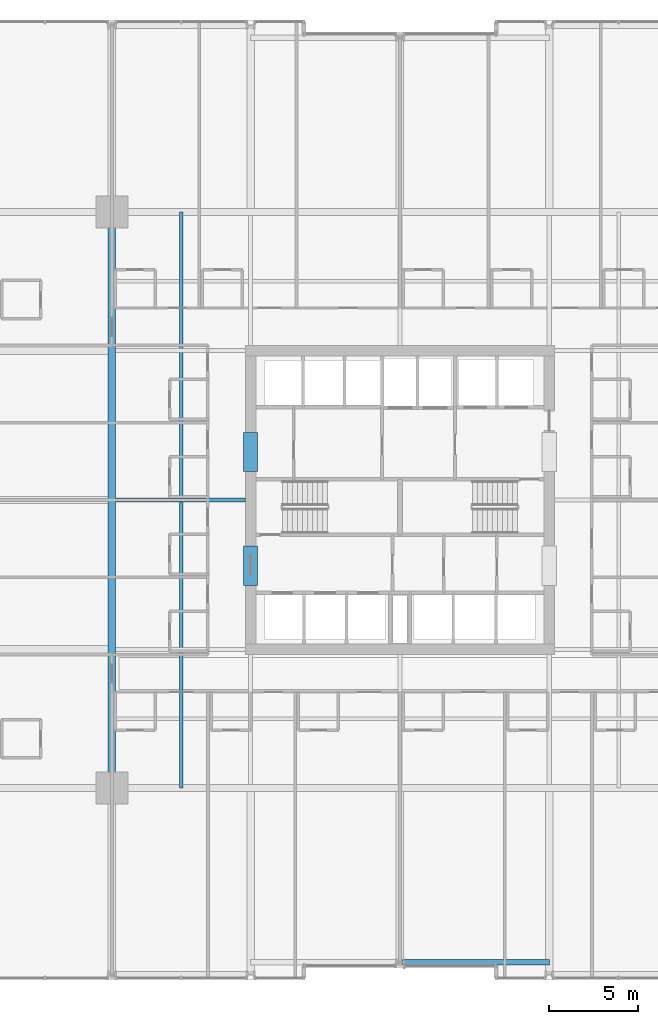
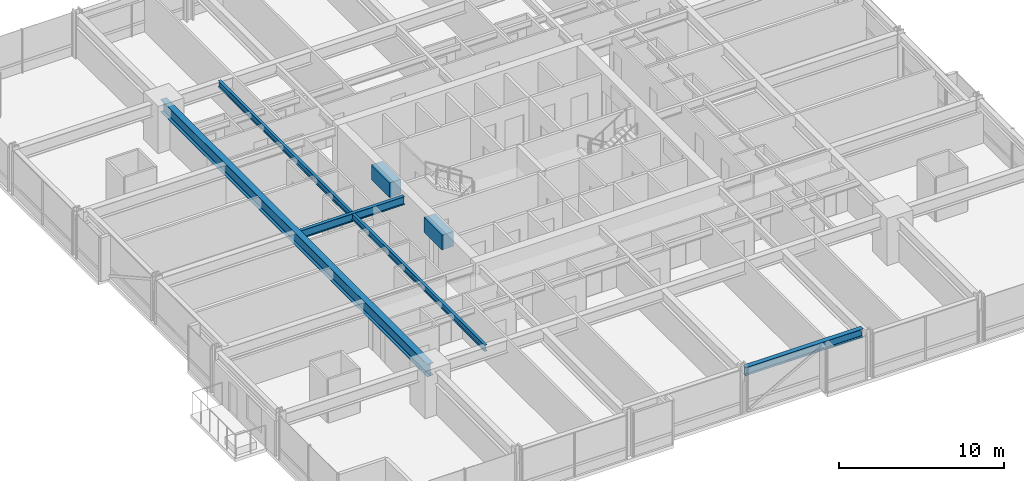
# One storey, part 10 of 39: 6 beams.
"""IFC4 building model written with IfcOpenShell, lengths in metres."""

from ifc_helpers import new_model, si_unit, direction, frame, origin, origin_2d, place, context, subcontext, project, spatial, rectangle, i_section, extrude, material, material_profile, profile_set, type_object, element, save


model = new_model("IFC4")

# Units and contexts
model_context = context("Model", 3, precision=1e-05, world=origin(), true_north=direction((0.0, 1.0)))
body_context = subcontext(model_context, "Body", "Model", "MODEL_VIEW")
ifc_project = project(units=[si_unit("LENGTHUNIT", "METRE"), si_unit("AREAUNIT", "SQUARE_METRE"), si_unit("VOLUMEUNIT", "CUBIC_METRE"), si_unit("PLANEANGLEUNIT", "RADIAN"), si_unit("MASSUNIT", "GRAM", prefix="KILO")], contexts=[model_context])

# Site, building, storey
site_placement = place(None, origin())
site = spatial("IfcSite", under=ifc_project, at=site_placement, CompositionType="ELEMENT")
building_placement = place(site_placement, origin())
building = spatial("IfcBuilding", under=site, at=building_placement, Name="Drelvath Grand Hotel", CompositionType="ELEMENT")
storey_placement = place(building_placement, frame((0.0, 0.0, 36.699951171875)))
storey = spatial("IfcBuildingStorey", under=building, at=storey_placement, Name="L07", CompositionType="ELEMENT", Elevation=36.699951171875)

# Beams
ifc_material_1 = material(Name="Steel ASTM A992 Gr 50", Category="steel")
ifc_material_profile_1 = material_profile(ifc_material_1, i_section(OverallWidth=0.19140625, OverallDepth=0.4599609375, WebThickness=0.010009765625, FlangeThickness=0.01611328125, FilletRadius=0.01611328125, at=origin_2d()), Name="W18X55")
ifc_profile_set_1 = profile_set([ifc_material_profile_1], Name="Steel ASTM A992 Gr 50")
beam_type_1 = type_object("IfcBeamType", Name="Composite Floor Joist W18X55", PredefinedType="JOIST", material=ifc_profile_set_1)
beam_1_placement = place(storey_placement, frame((-12.300048828125, 10.800048828125, 3.010009765625), z_axis=(0.0, 1.0, 0.0), x_axis=(-1.0, 0.0, 0.0)))
element("IfcBeam", 1, at=beam_1_placement, inside=storey, type_object=beam_type_1, Name="L07 Wing Floor Joist J3", PredefinedType="JOIST", context=body_context, shape_type="SweptSolid", body=[
    extrude(i_section(OverallWidth=0.19140625, OverallDepth=0.4599609375, WebThickness=0.010009765625, FlangeThickness=0.01611328125, FilletRadius=0.01611328125, at=origin_2d()), origin(), (0.0, 0.0, 1.0), 32.39990234375),
])
ifc_material_2 = material(Name="Concrete f'c 70 MPa", Category="concrete")
ifc_material_profile_2 = material_profile(ifc_material_2, rectangle(XDim=0.800048828125, YDim=1.10009765625, at=origin_2d()), Name="CB800X1100")
ifc_profile_set_2 = profile_set([ifc_material_profile_2], Name="Concrete f'c 70 MPa")
beam_type_2 = type_object("IfcBeamType", Name="Core Coupling Lintel CB800X1100", PredefinedType="LINTEL", material=ifc_profile_set_2)
for number, where, z_axis, x_axis, name in (
    (2, (-8.39990234375, 22.199951171875, 2.68994140625), (0.0, 1.0, 0.0), (-1.0, 0.0, 0.0), "L07 Core Coupling Lintel WS"),
    (3, (-8.39990234375, 28.60009765625, 2.68994140625), (0.0, 1.0, 0.0), (-1.0, 0.0, 0.0), "L07 Core Coupling Lintel WN"),
):
    element("IfcBeam", number, at=place(storey_placement, frame(where, z_axis=z_axis, x_axis=x_axis)), inside=storey, type_object=beam_type_2, Name=name, PredefinedType="LINTEL", context=body_context, shape_type="SweptSolid", body=[
        extrude(rectangle(XDim=0.800048828125, YDim=1.10009765625, at=origin_2d()), origin(), (0.0, 0.0, 1.0), 2.199951171875),
    ])
ifc_material_profile_3 = material_profile(ifc_material_1, i_section(OverallWidth=0.323974609375, OverallDepth=0.611083984375, WebThickness=0.0126953125, FlangeThickness=0.01904296875, FilletRadius=0.02197265625, at=origin_2d()), Name="W24X104")
ifc_profile_set_3 = profile_set([ifc_material_profile_3], Name="Steel ASTM A992 Gr 50")
beam_type_3 = type_object("IfcBeamType", Name="Perimeter Spandrel Beam W24X104", PredefinedType="SPANDREL", material=ifc_profile_set_3)
beam_2_placement = place(storey_placement, frame((0.139892578125, 1.0, 2.9345703125), z_axis=(1.0, 0.0, 0.0), x_axis=(0.0, 1.0, 0.0)))
element("IfcBeam", 4, at=beam_2_placement, inside=storey, type_object=beam_type_3, Name="L07 Spandrel South Mid E", PredefinedType="SPANDREL", context=body_context, shape_type="SweptSolid", body=[
    extrude(i_section(OverallWidth=0.323974609375, OverallDepth=0.611083984375, WebThickness=0.0126953125, FlangeThickness=0.01904296875, FilletRadius=0.02197265625, at=origin_2d()), origin(), (0.0, 0.0, 1.0), 8.260009765625),
])
ifc_material_profile_4 = material_profile(ifc_material_1, i_section(OverallWidth=0.228271484375, OverallDepth=0.607666015625, WebThickness=0.01123046875, FlangeThickness=0.017333984375, FilletRadius=0.02001953125, at=origin_2d()), Name="W24X76")
ifc_profile_set_4 = profile_set([ifc_material_profile_4], Name="Steel ASTM A992 Gr 50")
beam_type_4 = type_object("IfcBeamType", Name="Primary Floor Girder W24X76", PredefinedType="BEAM", material=ifc_profile_set_4)
beam_3_placement = place(storey_placement, frame((-15.99072265625, 27.0, 2.936279296875), z_axis=(1.0, 0.0, 0.0), x_axis=(0.0, 1.0, 0.0)))
element("IfcBeam", 5, at=beam_3_placement, inside=storey, type_object=beam_type_4, Name="L07 West Core Tie E", PredefinedType="BEAM", context=body_context, shape_type="SweptSolid", body=[
    extrude(i_section(OverallWidth=0.228271484375, OverallDepth=0.607666015625, WebThickness=0.01123046875, FlangeThickness=0.017333984375, FilletRadius=0.02001953125, at=origin_2d()), origin(), (0.0, 0.0, 1.0), 7.290771484375),
])
ifc_material_profile_5 = material_profile(ifc_material_1, i_section(OverallWidth=0.418212890625, OverallDepth=0.926513671875, WebThickness=0.019287109375, FlangeThickness=0.031982421875, FilletRadius=0.028076171875, at=origin_2d()), Name="W36X231")
ifc_profile_set_5 = profile_set([ifc_material_profile_5], Name="Steel ASTM A992 Gr 50")
beam_type_5 = type_object("IfcBeamType", Name="Primary Floor Girder W36X231", PredefinedType="BEAM", material=ifc_profile_set_5)
beam_4_placement = place(storey_placement, frame((-16.199951171875, 10.800048828125, 2.77685546875), z_axis=(0.0, 1.0, 0.0), x_axis=(-1.0, 0.0, 0.0)))
element("IfcBeam", 6, at=beam_4_placement, inside=storey, type_object=beam_type_5, Name="L07 Mega Ring Girder West", PredefinedType="BEAM", context=body_context, shape_type="SweptSolid", body=[
    extrude(i_section(OverallWidth=0.418212890625, OverallDepth=0.926513671875, WebThickness=0.019287109375, FlangeThickness=0.031982421875, FilletRadius=0.028076171875, at=origin_2d()), origin(), (0.0, 0.0, 1.0), 32.39990234375),
])

save(model, "model.ifc")
